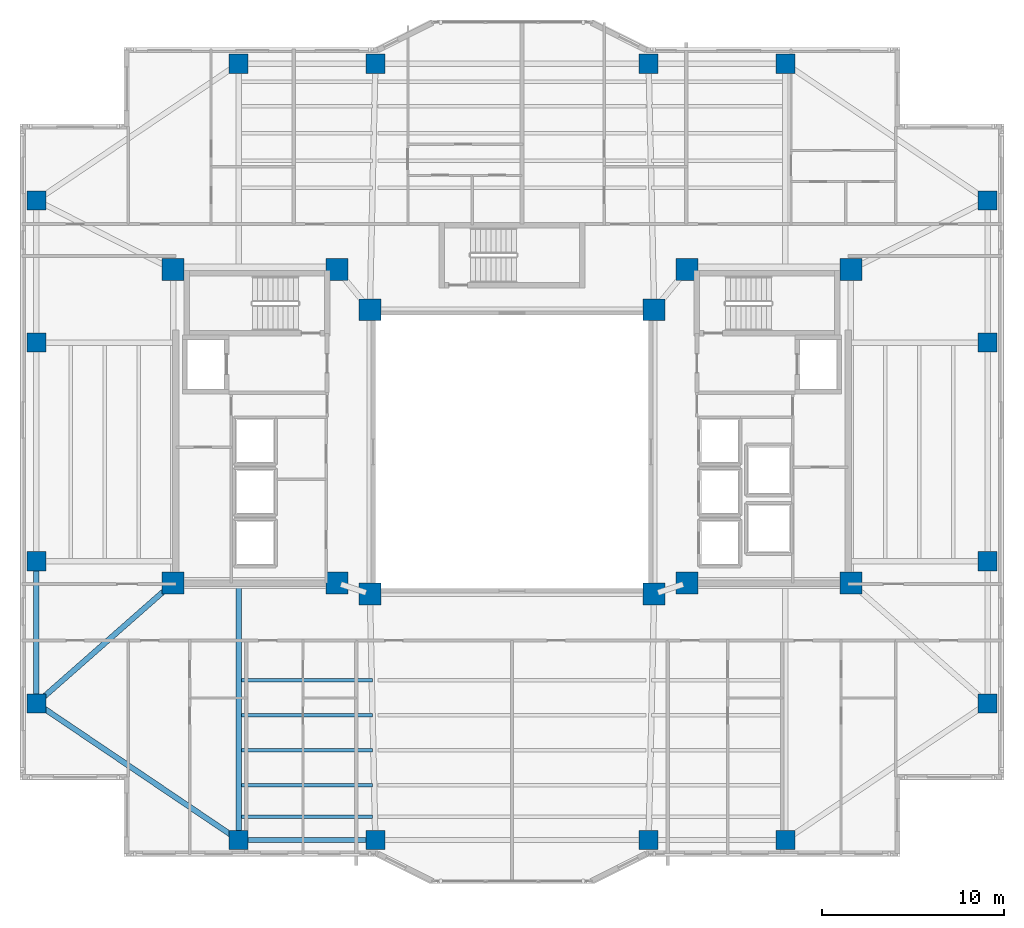
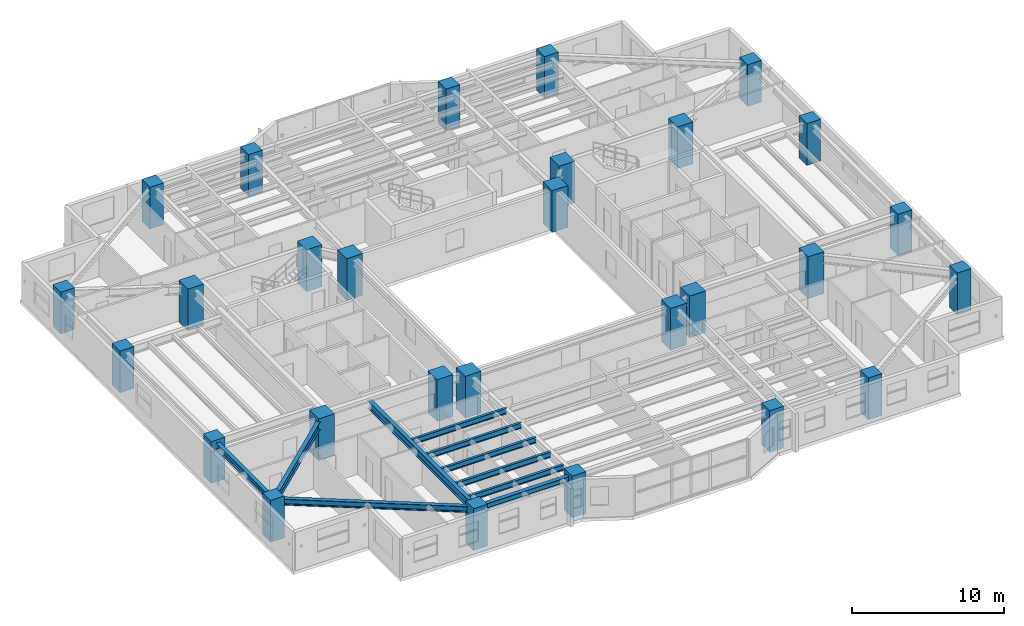
# One storey, part 1 of 18: 28 columns, 10 beams.
"""IFC4 building model written with IfcOpenShell, lengths in metres."""

import ifcopenshell
import ifcopenshell.guid

model = None  # the IFC model being written
_history = None  # IfcOwnerHistory: only IFC2X3 demands one
_inside = {}  # id of a spatial element -> (the spatial element, [elements in it])
_under = {}  # id of a project, library or spatial element -> (it, [spatial elements below it])
_declared = {}  # id of a project -> (the project, [libraries it declares])
_typed = {}  # id of a type object -> (the type object, [elements of that type])
_made_of = {}  # id of a material, layer set ... -> (it, [elements and type objects made of it])


def new_model(schema):
    """Start an empty IFC model of exactly this schema.

    Asked for "IFC4X3", IfcOpenShell would pick the latest addendum, in which some entities
    have other attributes; the version numbers below select the first issue.
    IFC2X3 requires an IfcOwnerHistory on every rooted entity: one is made here for all.
    """
    global model, _history
    if schema == "IFC4X3":
        model = ifcopenshell.file(schema_version=(4, 3, 0, 0))
    else:
        model = ifcopenshell.file(schema=schema)
    _inside.clear()
    _under.clear()
    _declared.clear()
    _typed.clear()
    _made_of.clear()
    _history = None
    if model.schema == "IFC2X3":
        org = make("IfcOrganization", Name="unknown")
        user = make(
            "IfcPersonAndOrganization",
            ThePerson=make("IfcPerson", FamilyName="unknown"),
            TheOrganization=org,
        )
        app = make(
            "IfcApplication",
            ApplicationDeveloper=org,
            Version="unknown",
            ApplicationFullName="unknown",
            ApplicationIdentifier="unknown",
        )
        _history = make(
            "IfcOwnerHistory",
            OwningUser=user,
            OwningApplication=app,
            ChangeAction="ADDED",
            CreationDate=0,
        )
    return model


def make(cls, **values):
    """One entity of the class cls with the attributes given. An attribute that is None is left unset."""
    return model.create_entity(
        cls, **{name: value for name, value in values.items() if value is not None}
    )


def rooted(cls, **values):
    """An entity with a GlobalId (a new one), such as an element, a storey or a relation."""
    return make(cls, GlobalId=ifcopenshell.guid.new(), OwnerHistory=_history, **values)


def si_unit(unit_type, name, prefix=None):
    """IfcSIUnit, for example si_unit("LENGTHUNIT", "METRE", prefix="MILLI")."""
    return make("IfcSIUnit", UnitType=unit_type, Prefix=prefix, Name=name)


def assignment(units):
    """IfcUnitAssignment: the units of a project."""
    return None if units is None else make("IfcUnitAssignment", Units=units)


def point(xyz):
    """IfcCartesianPoint."""
    return None if xyz is None else make("IfcCartesianPoint", Coordinates=xyz)


def direction(xyz):
    """IfcDirection."""
    return None if xyz is None else make("IfcDirection", DirectionRatios=xyz)


def frame(location, z_axis=None, x_axis=None):
    """IfcAxis2Placement3D, a coordinate frame: its origin and axes. An axis left out is left unset."""
    return make(
        "IfcAxis2Placement3D",
        Location=point(location),
        Axis=direction(z_axis),
        RefDirection=direction(x_axis),
    )


def frame_2d(location, x_axis=None):
    """IfcAxis2Placement2D, a coordinate frame in the plane: its origin and x axis."""
    return make(
        "IfcAxis2Placement2D", Location=point(location), RefDirection=direction(x_axis)
    )


def origin():
    """The frame at (0, 0, 0) with its axes left unset."""
    return frame((0.0, 0.0, 0.0))


def origin_2d():
    """The frame at (0, 0) in the plane with its x axis left unset."""
    return frame_2d((0.0, 0.0))


def place(relative_to, where):
    """IfcLocalPlacement: puts the frame where relative to a parent placement (None: the world)."""
    return make(
        "IfcLocalPlacement", PlacementRelTo=relative_to, RelativePlacement=where
    )


def context(
    kind, dimensions, precision=None, world=None, true_north=None, identifier=None
):
    """IfcGeometricRepresentationContext, for example the 3D "Model" context."""
    return make(
        "IfcGeometricRepresentationContext",
        ContextIdentifier=identifier,
        ContextType=kind,
        CoordinateSpaceDimension=dimensions,
        Precision=precision,
        WorldCoordinateSystem=world,
        TrueNorth=true_north,
    )


def subcontext(parent, identifier, kind, view, scale=None):
    """IfcGeometricRepresentationSubContext, for example "Body" below "Model"."""
    return make(
        "IfcGeometricRepresentationSubContext",
        ContextIdentifier=identifier,
        ContextType=kind,
        ParentContext=parent,
        TargetScale=scale,
        TargetView=view,
    )


def project(units=None, contexts=None):
    """IfcProject with its units and contexts."""
    return rooted(
        "IfcProject",
        Name="project",
        RepresentationContexts=contexts,
        UnitsInContext=assignment(units),
    )


def spatial(cls, under=None, at=None, **own):
    """A site, building, storey or space (cls), placed at a placement, below another one or the project."""
    s = rooted(cls, ObjectPlacement=at, **own)
    if under is not None:
        _under.setdefault(under.id(), (under, []))[1].append(s)
    return s


def profile(cls, at=None, kind="AREA", **sizes):
    """A parametric profile (cls). Its sizes go by their IFC names, for example OverallWidth=200.0."""
    return make(cls, ProfileType=kind, Position=at, **sizes)


def rectangle(**sizes):
    """IfcRectangleProfileDef."""
    return profile("IfcRectangleProfileDef", **sizes)


def i_section(**sizes):
    """IfcIShapeProfileDef."""
    return profile("IfcIShapeProfileDef", **sizes)


def extrude(swept, where, along, depth):
    """IfcExtrudedAreaSolid: the profile swept, set in the frame where, extruded along a direction by depth."""
    return make(
        "IfcExtrudedAreaSolid",
        SweptArea=swept,
        Position=where,
        ExtrudedDirection=direction(along),
        Depth=depth,
    )


def shape(context_of_items, identifier, shape_type, items):
    """IfcShapeRepresentation: the items that make up one representation, for example the "Body"."""
    return make(
        "IfcShapeRepresentation",
        ContextOfItems=context_of_items,
        RepresentationIdentifier=identifier,
        RepresentationType=shape_type,
        Items=items,
    )


def material(Name=None, Category=None):
    """IfcMaterial."""
    return make("IfcMaterial", Name=Name, Category=Category)


def material_profile(
    of_material, cross_section, Name=None, Category=None, Priority=None
):
    """IfcMaterialProfile: a cross section and its material."""
    return make(
        "IfcMaterialProfile",
        Name=Name,
        Material=of_material,
        Profile=cross_section,
        Priority=Priority,
        Category=Category,
    )


def profile_set(profiles, Name=None, composite=None):
    """IfcMaterialProfileSet."""
    return make(
        "IfcMaterialProfileSet",
        Name=Name,
        MaterialProfiles=profiles,
        CompositeProfile=composite,
    )


def made_of(thing, what):
    """Note that an element or type object is made of a material, layer set ...; save() writes the relation."""
    if what is not None:
        _made_of.setdefault(what.id(), (what, []))[1].append(thing)
    return thing


def type_object(cls, material=None, **own):
    """A type object (cls), such as IfcWallType, which elements share."""
    return made_of(rooted(cls, **own), material)


def element(
    cls,
    number,
    at=None,
    inside=None,
    cuts=None,
    type_object=None,
    material=None,
    context=None,
    identifier="Body",
    shape_type=None,
    held_by="IfcProductDefinitionShape",
    body=None,
    shapes=None,
    **own,
):
    """One element of the class cls, such as IfcWall. Its Tag is "e" and its number.

    at: its placement. inside: the storey or other place that contains it. cuts: it is an
    opening in that element (IfcRelVoidsElement). A single representation is given by context,
    identifier, shape_type and body (its items); several are given by shapes. held_by: the class
    of the entity that holds the representations. save() writes the other relations.
    """
    e = rooted(cls, Tag="e%d" % number, ObjectPlacement=at, **own)
    if body is not None:
        shapes = [shape(context, identifier, shape_type, body)]
    if shapes is not None:
        e.Representation = make(held_by, Representations=shapes)
    if inside is not None:
        _inside.setdefault(inside.id(), (inside, []))[1].append(e)
    if cuts is not None:
        rooted(
            "IfcRelVoidsElement", RelatingBuildingElement=cuts, RelatedOpeningElement=e
        )
    if type_object is not None:
        _typed.setdefault(type_object.id(), (type_object, []))[1].append(e)
    return made_of(e, material)


def aggregate(whole, parts):
    """IfcRelAggregates: a whole, such as a stair, and the parts it consists of."""
    return rooted("IfcRelAggregates", RelatingObject=whole, RelatedObjects=parts)


def save(model, path):
    """Write the relations noted so far, then the file.

    IfcRelAggregates (storeys below a building ...), IfcRelContainedInSpatialStructure (elements
    in a storey), IfcRelDefinesByType, IfcRelAssociatesMaterial and IfcRelDeclares: one each for
    every whole, place, type object, material and project.
    """
    for whole, parts in _under.values():
        aggregate(whole, parts)
    for where, things in _inside.values():
        rooted(
            "IfcRelContainedInSpatialStructure",
            RelatedElements=things,
            RelatingStructure=where,
        )
    for kind, things in _typed.values():
        rooted("IfcRelDefinesByType", RelatedObjects=things, RelatingType=kind)
    for what, things in _made_of.values():
        rooted("IfcRelAssociatesMaterial", RelatedObjects=things, RelatingMaterial=what)
    for by, libraries in _declared.values():
        rooted("IfcRelDeclares", RelatingContext=by, RelatedDefinitions=libraries)
    model.write(path)


model = new_model("IFC4")

# Units and contexts
model_context = context("Model", 3, precision=1e-05, world=origin(), true_north=direction((0.0, 1.0)))
body_context = subcontext(model_context, "Body", "Model", "MODEL_VIEW")
ifc_project = project(units=[si_unit("LENGTHUNIT", "METRE"), si_unit("AREAUNIT", "SQUARE_METRE"), si_unit("VOLUMEUNIT", "CUBIC_METRE"), si_unit("PLANEANGLEUNIT", "RADIAN"), si_unit("MASSUNIT", "GRAM", prefix="KILO")], contexts=[model_context])

# Site, building, storey
site_placement = place(None, origin())
site = spatial("IfcSite", under=ifc_project, at=site_placement, CompositionType="ELEMENT")
building_placement = place(site_placement, origin())
building = spatial("IfcBuilding", under=site, at=building_placement, Name="Tarnavaz Court Tower", CompositionType="ELEMENT")
storey_placement = place(building_placement, frame((0.0, 0.0, 98.39990234375)))
storey = spatial("IfcBuildingStorey", under=building, at=storey_placement, Name="L26", CompositionType="ELEMENT", Elevation=98.39990234375)

# Columns
ifc_material_1 = material(Name="Concrete C60/75", Category="concrete")
ifc_material_profile_1 = material_profile(ifc_material_1, rectangle(XDim=1.050048828125, YDim=1.050048828125, at=origin_2d()), Name="RC 1050X1050")
ifc_profile_set_1 = profile_set([ifc_material_profile_1], Name="Concrete C60/75")
column_type_1 = type_object("IfcColumnType", Name="CL-RC1050", PredefinedType="COLUMN", material=ifc_profile_set_1)
for number, where, z_axis, x_axis, name in (
    (1, (-15.0, 21.300048828125, 0.0), (0.0, 0.0, 1.0), (1.0, 0.0, 0.0), "L26 Column PN-1"),
    (2, (-7.5, 21.300048828125, 0.0), (0.0, 0.0, 1.0), (1.0, 0.0, 0.0), "L26 Column PN-2"),
    (3, (7.5, 21.300048828125, 0.0), (0.0, 0.0, 1.0), (1.0, 0.0, 0.0), "L26 Column PN-3"),
    (4, (15.0, 21.300048828125, 0.0), (0.0, 0.0, 1.0), (1.0, 0.0, 0.0), "L26 Column PN-4"),
    (5, (-15.0, -21.300048828125, 0.0), (0.0, 0.0, 1.0), (1.0, 0.0, 0.0), "L26 Column PS-1"),
    (6, (-7.5, -21.300048828125, 0.0), (0.0, 0.0, 1.0), (1.0, 0.0, 0.0), "L26 Column PS-2"),
    (7, (7.5, -21.300048828125, 0.0), (0.0, 0.0, 1.0), (1.0, 0.0, 0.0), "L26 Column PS-3"),
    (8, (15.0, -21.300048828125, 0.0), (0.0, 0.0, 1.0), (1.0, 0.0, 0.0), "L26 Column PS-4"),
    (9, (26.10009765625, -13.800048828125, 0.0), (0.0, 0.0, 1.0), (1.0, 0.0, 0.0), "L26 Column PE-1"),
    (10, (26.10009765625, -6.0, 0.0), (0.0, 0.0, 1.0), (1.0, 0.0, 0.0), "L26 Column PE-2"),
    (11, (26.10009765625, 6.0, 0.0), (0.0, 0.0, 1.0), (1.0, 0.0, 0.0), "L26 Column PE-3"),
    (12, (26.10009765625, 13.800048828125, 0.0), (0.0, 0.0, 1.0), (1.0, 0.0, 0.0), "L26 Column PE-4"),
    (13, (-26.10009765625, -13.800048828125, 0.0), (0.0, 0.0, 1.0), (1.0, 0.0, 0.0), "L26 Column PW-1"),
    (14, (-26.10009765625, -6.0, 0.0), (0.0, 0.0, 1.0), (1.0, 0.0, 0.0), "L26 Column PW-2"),
    (15, (-26.10009765625, 6.0, 0.0), (0.0, 0.0, 1.0), (1.0, 0.0, 0.0), "L26 Column PW-3"),
    (16, (-26.10009765625, 13.800048828125, 0.0), (0.0, 0.0, 1.0), (1.0, 0.0, 0.0), "L26 Column PW-4"),
):
    element("IfcColumn", number, at=place(storey_placement, frame(where, z_axis=z_axis, x_axis=x_axis)), inside=storey, type_object=column_type_1, Name=name, PredefinedType="COLUMN", context=body_context, shape_type="SweptSolid", body=[
        extrude(rectangle(XDim=1.050048828125, YDim=1.050048828125, at=origin_2d()), origin(), (0.0, 0.0, 1.0), 3.35009765625),
    ])
ifc_material_profile_2 = material_profile(ifc_material_1, rectangle(XDim=1.199951171875, YDim=1.199951171875, at=origin_2d()), Name="RC 1200X1200")
ifc_profile_set_2 = profile_set([ifc_material_profile_2], Name="Concrete C60/75")
column_type_2 = type_object("IfcColumnType", Name="CL-RC1200", PredefinedType="COLUMN", material=ifc_profile_set_2)
for number, where, z_axis, x_axis, name in (
    (17, (-7.800048828125, -7.800048828125, 0.0), (0.0, 0.0, 1.0), (1.0, 0.0, 0.0), "L26 Column IW-SW"),
    (18, (7.800048828125, -7.800048828125, 0.0), (0.0, 0.0, 1.0), (1.0, 0.0, 0.0), "L26 Column IW-SE"),
    (19, (-7.800048828125, 7.800048828125, 0.0), (0.0, 0.0, 1.0), (1.0, 0.0, 0.0), "L26 Column IW-NW"),
    (20, (7.800048828125, 7.800048828125, 0.0), (0.0, 0.0, 1.0), (1.0, 0.0, 0.0), "L26 Column IW-NE"),
    (21, (-9.60009765625, -7.199951171875, 0.0), (0.0, 0.0, 1.0), (1.0, 0.0, 0.0), "L26 Column CW-SI"),
    (22, (-9.60009765625, 10.0, 0.0), (0.0, 0.0, 1.0), (1.0, 0.0, 0.0), "L26 Column CW-NI"),
    (23, (9.60009765625, -7.199951171875, 0.0), (0.0, 0.0, 1.0), (1.0, 0.0, 0.0), "L26 Column CE-SI"),
    (24, (9.60009765625, 10.0, 0.0), (0.0, 0.0, 1.0), (1.0, 0.0, 0.0), "L26 Column CE-NI"),
    (25, (-18.60009765625, -7.199951171875, 0.0), (0.0, 0.0, 1.0), (1.0, 0.0, 0.0), "L26 Column CW-SO"),
    (26, (-18.60009765625, 10.0, 0.0), (0.0, 0.0, 1.0), (1.0, 0.0, 0.0), "L26 Column CW-NO"),
    (27, (18.60009765625, -7.199951171875, 0.0), (0.0, 0.0, 1.0), (1.0, 0.0, 0.0), "L26 Column CE-SO"),
    (28, (18.60009765625, 10.0, 0.0), (0.0, 0.0, 1.0), (1.0, 0.0, 0.0), "L26 Column CE-NO"),
):
    element("IfcColumn", number, at=place(storey_placement, frame(where, z_axis=z_axis, x_axis=x_axis)), inside=storey, type_object=column_type_2, Name=name, PredefinedType="COLUMN", context=body_context, shape_type="SweptSolid", body=[
        extrude(rectangle(XDim=1.199951171875, YDim=1.199951171875, at=origin_2d()), origin(), (0.0, 0.0, 1.0), 3.35009765625),
    ])

# Beams
ifc_material_2 = material(Name="Steel S355", Category="steel")
ifc_material_profile_3 = material_profile(ifc_material_2, i_section(OverallWidth=0.300048828125, OverallDepth=0.64990234375, WebThickness=0.01611328125, FlangeThickness=0.031005859375, FilletRadius=0.027099609375, at=origin_2d()), Name="HEB 650")
ifc_profile_set_3 = profile_set([ifc_material_profile_3], Name="Steel S355")
beam_type_1 = type_object("IfcBeamType", Name="BM-G-HEB650", PredefinedType="USERDEFINED", material=ifc_profile_set_3)
beam_1_placement = place(storey_placement, frame((-15.0, -7.239990234375, 2.775146484375), z_axis=(0.0, -1.0, 0.0), x_axis=(1.0, 0.0, 0.0)))
element("IfcBeam", 29, at=beam_1_placement, inside=storey, type_object=beam_type_1, Name="L26 Beam RG-05", ObjectType="GIRDER", PredefinedType="USERDEFINED", context=body_context, shape_type="SweptSolid", body=[
    extrude(i_section(OverallWidth=0.300048828125, OverallDepth=0.64990234375, WebThickness=0.01611328125, FlangeThickness=0.031005859375, FilletRadius=0.027099609375, at=origin_2d()), origin(), (0.0, 0.0, 1.0), 13.840087890625),
])
beam_2_placement = place(storey_placement, frame((-18.76513671875, -7.34521484375, 2.775146484375), z_axis=(-0.750700332035, -0.660642877417, 0.0), x_axis=(0.660642877417, -0.750700332035, 0.0)))
element("IfcBeam", 30, at=beam_2_placement, inside=storey, type_object=beam_type_1, Name="L26 Beam RG-15", ObjectType="GIRDER", PredefinedType="USERDEFINED", context=body_context, shape_type="SweptSolid", body=[
    extrude(i_section(OverallWidth=0.300048828125, OverallDepth=0.64990234375, WebThickness=0.01611328125, FlangeThickness=0.031005859375, FilletRadius=0.027099609375, at=origin_2d()), origin(), (0.0, 0.0, 1.0), 9.550537109375),
])
ifc_material_profile_4 = material_profile(ifc_material_2, i_section(OverallWidth=0.18994140625, OverallDepth=0.449951171875, WebThickness=0.009521484375, FlangeThickness=0.0146484375, FilletRadius=0.02099609375, at=origin_2d()), Name="IPE 450")
ifc_profile_set_4 = profile_set([ifc_material_profile_4], Name="Steel S355")
beam_type_2 = type_object("IfcBeamType", Name="BM-J-IPE450", PredefinedType="JOIST", material=ifc_profile_set_4)
for number, where, z_axis, x_axis, name in (
    (31, (-14.85009765625, -12.52587890625, 2.875), (1.0, 0.0, 0.0), (0.0, 1.0, 0.0), "L26 Beam JS1-1"),
    (32, (-14.85009765625, -14.451904296875, 2.875), (1.0, 0.0, 0.0), (0.0, 1.0, 0.0), "L26 Beam JS2-1"),
    (33, (-14.85009765625, -16.3779296875, 2.875), (1.0, 0.0, 0.0), (0.0, 1.0, 0.0), "L26 Beam JS3-1"),
    (34, (-14.85009765625, -18.303955078125, 2.875), (1.0, 0.0, 0.0), (0.0, 1.0, 0.0), "L26 Beam JS4-1"),
    (35, (-14.85009765625, -20.01611328125, 2.875), (1.0, 0.0, 0.0), (0.0, 1.0, 0.0), "L26 Beam JS5-1"),
):
    element("IfcBeam", number, at=place(storey_placement, frame(where, z_axis=z_axis, x_axis=x_axis)), inside=storey, type_object=beam_type_2, Name=name, PredefinedType="JOIST", context=body_context, shape_type="SweptSolid", body=[
        extrude(i_section(OverallWidth=0.18994140625, OverallDepth=0.449951171875, WebThickness=0.009521484375, FlangeThickness=0.0146484375, FilletRadius=0.02099609375, at=origin_2d()), origin(), (0.0, 0.0, 1.0), 7.2001953125),
    ])
ifc_material_profile_5 = material_profile(ifc_material_2, i_section(OverallWidth=0.300048828125, OverallDepth=0.489990234375, WebThickness=0.011962890625, FlangeThickness=0.02294921875, FilletRadius=0.027099609375, at=origin_2d()), Name="HEA 500")
ifc_profile_set_5 = profile_set([ifc_material_profile_5], Name="Steel S355")
beam_type_3 = type_object("IfcBeamType", Name="BM-SP-HEA500", PredefinedType="SPANDREL", material=ifc_profile_set_5)
beam_3_placement = place(storey_placement, frame((-14.780029296875, -21.300048828125, 2.85498046875), z_axis=(1.0, 0.0, 0.0), x_axis=(0.0, 1.0, 0.0)))
element("IfcBeam", 36, at=beam_3_placement, inside=storey, type_object=beam_type_3, Name="L26 Beam PR-PS-1-PS-2", PredefinedType="SPANDREL", context=body_context, shape_type="SweptSolid", body=[
    extrude(i_section(OverallWidth=0.300048828125, OverallDepth=0.489990234375, WebThickness=0.011962890625, FlangeThickness=0.02294921875, FilletRadius=0.027099609375, at=origin_2d()), origin(), (0.0, 0.0, 1.0), 7.06005859375),
])
beam_4_placement = place(storey_placement, frame((-26.10009765625, -13.580078125, 2.85498046875), z_axis=(0.0, 1.0, 0.0), x_axis=(-1.0, 0.0, 0.0)))
element("IfcBeam", 37, at=beam_4_placement, inside=storey, type_object=beam_type_3, Name="L26 Beam PR-PW-1-PW-2", PredefinedType="SPANDREL", context=body_context, shape_type="SweptSolid", body=[
    extrude(i_section(OverallWidth=0.300048828125, OverallDepth=0.489990234375, WebThickness=0.011962890625, FlangeThickness=0.02294921875, FilletRadius=0.027099609375, at=origin_2d()), origin(), (0.0, 0.0, 1.0), 7.360107421875),
])
beam_5_placement = place(storey_placement, frame((-15.182373046875, -21.1767578125, 2.85498046875), z_axis=(-0.828587314918, 0.559859858854, 0.0), x_axis=(-0.559859858854, -0.828587314918, 0.0)))
element("IfcBeam", 38, at=beam_5_placement, inside=storey, type_object=beam_type_3, Name="L26 Beam PR-PS-1-PW-1", PredefinedType="SPANDREL", context=body_context, shape_type="SweptSolid", body=[
    extrude(i_section(OverallWidth=0.300048828125, OverallDepth=0.489990234375, WebThickness=0.011962890625, FlangeThickness=0.02294921875, FilletRadius=0.027099609375, at=origin_2d()), origin(), (0.0, 0.0, 1.0), 12.956298828125),
])

save(model, "model.ifc")
